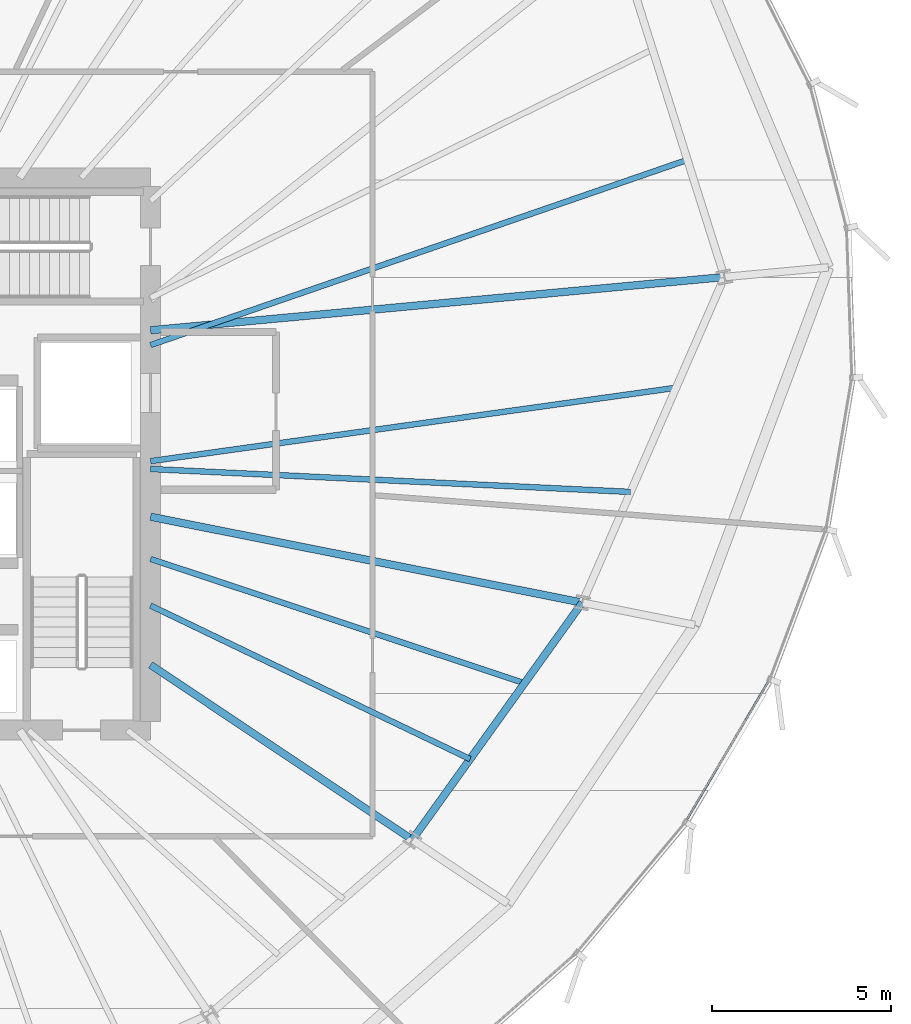
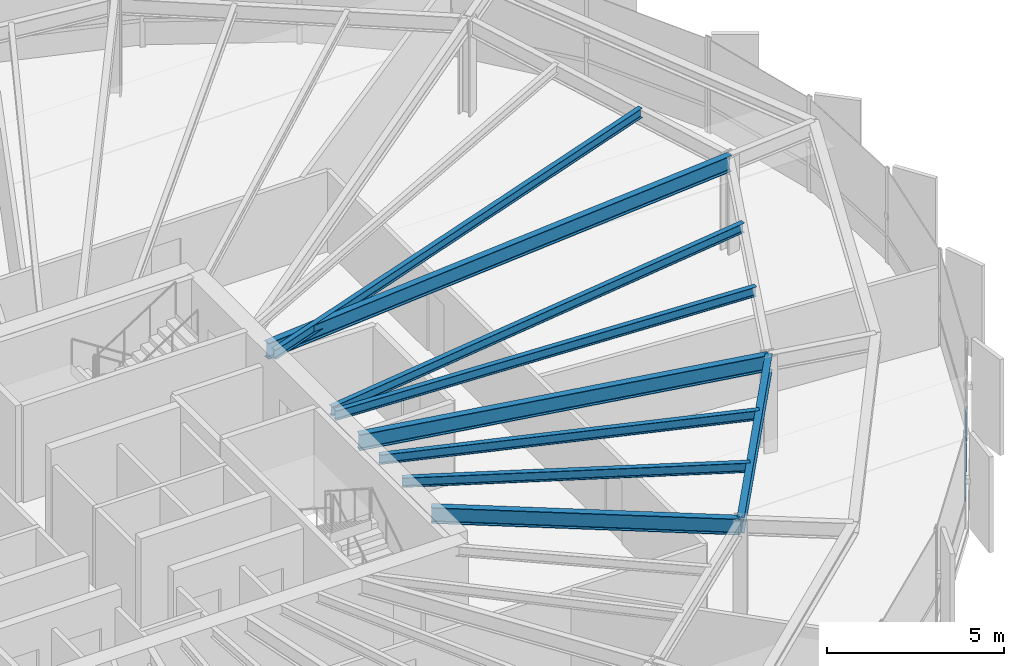
# One storey, part 15 of 33: 9 beams, 1 member, 1 element without a shape of its own.
"""IFC4 building model written with IfcOpenShell, lengths in metres."""

from ifc_helpers import new_model, si_unit, direction, frame, origin, origin_2d, place, context, subcontext, project, spatial, hollow_rectangle, i_section, extrude, source, transform, mapped, material, layer, layer_set, material_profile, profile_set, type_object, element, aggregate, save


model = new_model("IFC4")

# Units and contexts
model_context = context("Model", 3, precision=1e-05, world=origin(), true_north=direction((0.0, 1.0)))
body_context = subcontext(model_context, "Body", "Model", "MODEL_VIEW")
ifc_project = project(units=[si_unit("LENGTHUNIT", "METRE"), si_unit("AREAUNIT", "SQUARE_METRE"), si_unit("VOLUMEUNIT", "CUBIC_METRE"), si_unit("PLANEANGLEUNIT", "RADIAN"), si_unit("MASSUNIT", "GRAM", prefix="KILO"), si_unit("THERMODYNAMICTEMPERATUREUNIT", "KELVIN")], contexts=[model_context])

# Site, building, storey
site_placement = place(None, origin())
site = spatial("IfcSite", under=ifc_project, at=site_placement, CompositionType="ELEMENT")
building_placement = place(site_placement, origin())
building = spatial("IfcBuilding", under=site, at=building_placement, Name="Kethvar Cultural Tower", CompositionType="ELEMENT")
storey_placement = place(building_placement, frame((0.0, 0.0, 118.0)))
storey = spatial("IfcBuildingStorey", under=building, at=storey_placement, Name="L29", CompositionType="ELEMENT", Elevation=118.0)

# Beams
ifc_material_1 = material(Name="Steel S355J2", Category="steel")
ifc_material_profile_1 = material_profile(ifc_material_1, i_section(OverallWidth=0.2099609375, OverallDepth=0.550048828125, WebThickness=0.010986328125, FlangeThickness=0.01708984375, FilletRadius=0.02392578125, at=origin_2d()), Name="Steel S355J2 — IPE550")
ifc_profile_set_1 = profile_set([ifc_material_profile_1], Name="Steel S355J2 — IPE550")
beam_type_1 = type_object("IfcBeamType", Name="BM-IPE550", PredefinedType="BEAM", material=ifc_profile_set_1)
shared_shape_1 = source(origin(), body_context, "Body", "SweptSolid", [
    extrude(i_section(OverallWidth=0.2099609375, OverallDepth=0.550048828125, WebThickness=0.010986328125, FlangeThickness=0.01708984375, FilletRadius=0.02392578125, at=origin_2d()), origin(), (0.0, 0.0, 1.0), 16.071044921875),
])
beam_1_placement = place(storey_placement, frame((55.60009765625, 31.25, 3.072998046875), z_axis=(0.995731009363, 0.092302529718, 0.0), x_axis=(-0.092302529718, 0.995731009363, 0.0)))
element("IfcBeam", 1, at=beam_1_placement, inside=storey, type_object=beam_type_1, Name="L29 Primary Radial Beam RB-01", PredefinedType="BEAM", context=body_context, shape_type="MappedRepresentation", body=[
    mapped(shared_shape_1, transform((0.0, 0.0, 0.0), scale=1.0)),
])
shared_shape_2 = source(origin(), body_context, "Body", "SweptSolid", [
    extrude(i_section(OverallWidth=0.2099609375, OverallDepth=0.550048828125, WebThickness=0.010986328125, FlangeThickness=0.01708984375, FilletRadius=0.02392578125, at=origin_2d()), origin(), (0.0, 0.0, 1.0), 8.77783203125),
])
beam_2_placement = place(storey_placement, frame((55.60009765625, 21.919921875, 3.072998046875), z_axis=(0.831472186778, -0.555566380026, 0.0), x_axis=(0.555566380026, 0.831472186778, 0.0)))
element("IfcBeam", 2, at=beam_2_placement, inside=storey, type_object=beam_type_1, Name="L29 Primary Radial Beam RB-15", PredefinedType="BEAM", context=body_context, shape_type="MappedRepresentation", body=[
    mapped(shared_shape_2, transform((0.0, 0.0, 0.0), scale=1.0)),
])
shared_shape_3 = source(origin(), body_context, "Body", "SweptSolid", [
    extrude(i_section(OverallWidth=0.2099609375, OverallDepth=0.550048828125, WebThickness=0.010986328125, FlangeThickness=0.01708984375, FilletRadius=0.02392578125, at=origin_2d()), origin(), (0.0, 0.0, 1.0), 12.2744140625),
])
beam_3_placement = place(storey_placement, frame((55.60009765625, 26.049560546875, 3.072998046875), z_axis=(0.980782878234, -0.195102398146, 0.0), x_axis=(0.195102398146, 0.980782878234, 0.0)))
element("IfcBeam", 3, at=beam_3_placement, inside=storey, type_object=beam_type_1, Name="L29 Primary Radial Beam RB-16", PredefinedType="BEAM", context=body_context, shape_type="MappedRepresentation", body=[
    mapped(shared_shape_3, transform((0.0, 0.0, 0.0), scale=1.0)),
])
ifc_material_profile_2 = material_profile(ifc_material_1, i_section(OverallWidth=0.159912109375, OverallDepth=0.330078125, WebThickness=0.007568359375, FlangeThickness=0.011474609375, FilletRadius=0.01806640625, at=origin_2d()), Name="Steel S355J2 — IPE330")
ifc_profile_set_2 = profile_set([ifc_material_profile_2], Name="Steel S355J2 — IPE330")
beam_type_2 = type_object("IfcBeamType", Name="BM-J330", PredefinedType="JOIST", material=ifc_profile_set_2)
shared_shape_4 = source(origin(), body_context, "Body", "SweptSolid", [
    extrude(i_section(OverallWidth=0.159912109375, OverallDepth=0.330078125, WebThickness=0.007568359375, FlangeThickness=0.011474609375, FilletRadius=0.01806640625, at=origin_2d()), origin(), (0.0, 0.0, 1.0), 15.836669921875),
])
beam_4_placement = place(storey_placement, frame((55.60009765625, 30.836181640625, 3.18310546875), z_axis=(0.945315135904, 0.326158387644, 0.0), x_axis=(-0.326158387644, 0.945315135904, 0.0)))
element("IfcBeam", 4, at=beam_4_placement, inside=storey, type_object=beam_type_2, Name="L29 Composite Floor Joist J-01A", PredefinedType="JOIST", context=body_context, shape_type="MappedRepresentation", body=[
    mapped(shared_shape_4, transform((0.0, 0.0, 0.0), scale=1.0)),
])
shared_shape_5 = source(origin(), body_context, "Body", "SweptSolid", [
    extrude(i_section(OverallWidth=0.2099609375, OverallDepth=0.550048828125, WebThickness=0.010986328125, FlangeThickness=0.01708984375, FilletRadius=0.02392578125, at=origin_2d()), origin(), (0.0, 0.0, 1.0), 8.13525390625),
])
beam_5_placement = place(storey_placement, frame((62.898681640625, 17.043212890625, 3.072998046875), z_axis=(0.582656731995, 0.812718359988, 0.0), x_axis=(-0.812718359988, 0.582656731995, 0.0)))
element("IfcBeam", 5, at=beam_5_placement, inside=storey, type_object=beam_type_1, Name="L29 Column Ring Tie Beam CR-15", PredefinedType="BEAM", context=body_context, shape_type="MappedRepresentation", body=[
    mapped(shared_shape_5, transform((0.0, 0.0, 0.0), scale=1.0)),
])
shared_shape_6 = source(origin(), body_context, "Body", "SweptSolid", [
    extrude(i_section(OverallWidth=0.159912109375, OverallDepth=0.330078125, WebThickness=0.007568359375, FlangeThickness=0.011474609375, FilletRadius=0.01806640625, at=origin_2d()), origin(), (0.0, 0.0, 1.0), 9.885009765625),
])
beam_6_placement = place(storey_placement, frame((55.60009765625, 23.572021484375, 3.18310546875), z_axis=(0.901369611334, -0.43305060185, 0.0), x_axis=(0.43305060185, 0.901369611334, 0.0)))
element("IfcBeam", 6, at=beam_6_placement, inside=storey, type_object=beam_type_2, Name="L29 Composite Floor Joist J-15A", PredefinedType="JOIST", context=body_context, shape_type="MappedRepresentation", body=[
    mapped(shared_shape_6, transform((0.0, 0.0, 0.0), scale=1.0)),
])
shared_shape_7 = source(origin(), body_context, "Body", "SweptSolid", [
    extrude(i_section(OverallWidth=0.159912109375, OverallDepth=0.330078125, WebThickness=0.007568359375, FlangeThickness=0.011474609375, FilletRadius=0.01806640625, at=origin_2d()), origin(), (0.0, 0.0, 1.0), 10.98828125),
])
beam_7_placement = place(storey_placement, frame((55.60009765625, 24.8740234375, 3.18310546875), z_axis=(0.948918548228, -0.315521138481, 0.0), x_axis=(0.315521138481, 0.948918548228, 0.0)))
element("IfcBeam", 7, at=beam_7_placement, inside=storey, type_object=beam_type_2, Name="L29 Composite Floor Joist J-15B", PredefinedType="JOIST", context=body_context, shape_type="MappedRepresentation", body=[
    mapped(shared_shape_7, transform((0.0, 0.0, 0.0), scale=1.0)),
])
shared_shape_8 = source(origin(), body_context, "Body", "SweptSolid", [
    extrude(i_section(OverallWidth=0.159912109375, OverallDepth=0.330078125, WebThickness=0.007568359375, FlangeThickness=0.011474609375, FilletRadius=0.01806640625, at=origin_2d()), origin(), (0.0, 0.0, 1.0), 13.4013671875),
])
beam_8_placement = place(storey_placement, frame((55.60009765625, 27.380126953125, 3.18310546875), z_axis=(0.998864631653, -0.047638719894, 0.0), x_axis=(0.047638719894, 0.998864631653, 0.0)))
element("IfcBeam", 8, at=beam_8_placement, inside=storey, type_object=beam_type_2, Name="L29 Composite Floor Joist J-16A", PredefinedType="JOIST", context=body_context, shape_type="MappedRepresentation", body=[
    mapped(shared_shape_8, transform((0.0, 0.0, 0.0), scale=1.0)),
])
shared_shape_9 = source(origin(), body_context, "Body", "SweptSolid", [
    extrude(i_section(OverallWidth=0.159912109375, OverallDepth=0.330078125, WebThickness=0.007568359375, FlangeThickness=0.011474609375, FilletRadius=0.01806640625, at=origin_2d()), origin(), (0.0, 0.0, 1.0), 14.797119140625),
])
beam_9_placement = place(storey_placement, frame((55.60009765625, 27.60009765625, 3.18310546875), z_axis=(0.990388450305, 0.138313836986, 0.0), x_axis=(-0.138313836986, 0.990388450305, 0.0)))
element("IfcBeam", 9, at=beam_9_placement, inside=storey, type_object=beam_type_2, Name="L29 Composite Floor Joist J-16B", PredefinedType="JOIST", context=body_context, shape_type="MappedRepresentation", body=[
    mapped(shared_shape_9, transform((0.0, 0.0, 0.0), scale=1.0)),
])

# Curtain wall, member
ifc_material_2 = material(Name="Aluminium 6063-T6", Category="aluminium")
ifc_layer = layer(ifc_material_2, 0.179931640625, Name="Aluminium 6063-T6", Category="aluminium")
ifc_layer_set = layer_set([ifc_layer], Name="Aluminium 6063-T6 (180 mm)")
curtain_wall_type = type_object("IfcCurtainWallType", Name="CW-SYS-03-Z2", PredefinedType="NOTDEFINED", material=ifc_layer_set)
curtain_wall_placement = place(storey_placement, origin())
curtain_wall = element("IfcCurtainWall", 10, at=curtain_wall_placement, inside=storey, type_object=curtain_wall_type, Name="L29 Curtain Wall Run 06", PredefinedType="NOTDEFINED")
ifc_material_profile_3 = material_profile(ifc_material_2, hollow_rectangle(XDim=0.054931640625, YDim=0.1201171875, WallThickness=0.00390625, at=origin_2d()), Name="Aluminium 6063-T6 — RHS120x55x4")
ifc_profile_set_3 = profile_set([ifc_material_profile_3], Name="Aluminium 6063-T6 — RHS120x55x4")
member_type = type_object("IfcMemberType", Name="CW-SYS-03-Z2-TRN", PredefinedType="USERDEFINED", material=ifc_profile_set_3)
shared_shape_10 = source(origin(), body_context, "Body", "SweptSolid", [
    extrude(hollow_rectangle(XDim=0.054931640625, YDim=0.1201171875, WallThickness=0.00390625, at=origin_2d()), origin(), (0.0, 0.0, 1.0), 4.556884765625),
])
member_placement = place(storey_placement, frame((70.5380859375, 17.575927734375, 0.949951171875), z_axis=(0.507909592089, 0.861410382027, 0.0), x_axis=(-0.861410382027, 0.507909592089, 0.0)))
member = element("IfcMember", 11, at=member_placement, type_object=member_type, Name="CW-L29-R06 Transom 2", ObjectType="TRANSOM", PredefinedType="USERDEFINED", context=body_context, shape_type="MappedRepresentation", body=[
    mapped(shared_shape_10, transform((0.0, 0.0, 0.0), scale=1.0)),
])
aggregate(curtain_wall, [member])

save(model, "model.ifc")
